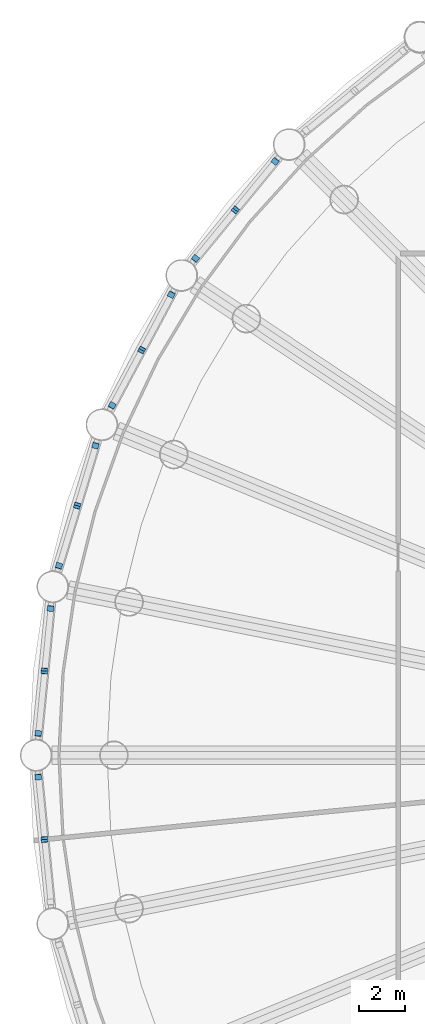
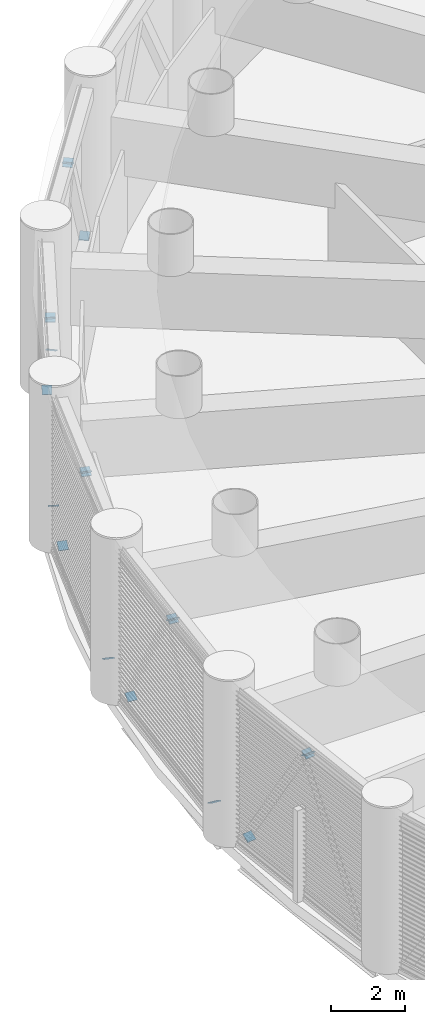
# One storey, part 14 of 26: 19 discrete accessories.
"""IFC4 building model written with IfcOpenShell, lengths in metres."""

from ifc_helpers import new_model, si_unit, direction, frame, origin, origin_2d, place, context, subcontext, project, spatial, rectangle, extrude, material, material_profile, profile_set, type_object, element, save


model = new_model("IFC4")

# Units and contexts
model_context = context("Model", 3, precision=1e-05, world=origin(), true_north=direction((0.0, 1.0)))
body_context = subcontext(model_context, "Body", "Model", "MODEL_VIEW")
ifc_project = project(units=[si_unit("LENGTHUNIT", "METRE"), si_unit("AREAUNIT", "SQUARE_METRE"), si_unit("VOLUMEUNIT", "CUBIC_METRE"), si_unit("PLANEANGLEUNIT", "RADIAN"), si_unit("MASSUNIT", "GRAM", prefix="KILO")], contexts=[model_context])

# Site, building, storey
site_placement = place(None, origin())
site = spatial("IfcSite", under=ifc_project, at=site_placement, CompositionType="ELEMENT")
building_placement = place(site_placement, origin())
building = spatial("IfcBuilding", under=site, at=building_placement, Name="Corvane Civic Tower", CompositionType="ELEMENT")
storey_placement = place(building_placement, frame((0.0, 0.0, 85.0)))
storey = spatial("IfcBuildingStorey", under=building, at=storey_placement, Name="L19", CompositionType="ELEMENT", Elevation=85.0)

# Discrete accessories
ifc_material = material(Name="Steel ASTM A572 Gr 50", Category="steel")
ifc_material_profile = material_profile(ifc_material, rectangle(XDim=0.2802734375, YDim=0.2802734375, at=origin_2d()), Name="GUSSET PLATE 25 IN HSS12X12X1/2")
ifc_profile_set = profile_set([ifc_material_profile], Name="Steel ASTM A572 Gr 50")
discrete_accessory_type = type_object("IfcDiscreteAccessoryType", Name="GUSSET PLATE 25 IN HSS12X12X1/2", PredefinedType="BRACKET", material=ifc_profile_set)
discrete_accessory_1_placement = place(storey_placement, frame((-37.337890625, -3.677490234375, 4.74365234375), z_axis=(0.058194858711, -0.533452871521, -0.843825451314), x_axis=(0.994102176608, 0.108447510175, 0.0)))
element("IfcDiscreteAccessory", 1, at=discrete_accessory_1_placement, inside=storey, type_object=discrete_accessory_type, Name="Gusset plate BD1 end B", PredefinedType="BRACKET", context=body_context, shape_type="SweptSolid", body=[
    extrude(rectangle(XDim=0.2802734375, YDim=0.2802734375, at=origin_2d()), origin(), (0.0, 0.0, 1.0), 0.025146484375),
])
discrete_accessory_2_placement = place(storey_placement, frame((-37.60693359375, -0.9453125, 0.406494140625), z_axis=(0.058674270186, -0.537847476703, 0.840997872662), x_axis=(0.994102176608, 0.108447510175, 0.0)))
element("IfcDiscreteAccessory", 2, at=discrete_accessory_2_placement, inside=storey, type_object=discrete_accessory_type, Name="Gusset plate BD1 end A", PredefinedType="BRACKET", context=body_context, shape_type="SweptSolid", body=[
    extrude(rectangle(XDim=0.2802734375, YDim=0.2802734375, at=origin_2d()), origin(), (0.0, 0.0, 1.0), 0.02490234375),
])
discrete_accessory_3_placement = place(storey_placement, frame((-37.337890625, -3.677490234375, 4.74365234375), z_axis=(-0.04852082694, 0.533729096341, -0.844262388758), x_axis=(-0.995893206468, -0.090535746043, 0.0)))
element("IfcDiscreteAccessory", 3, at=discrete_accessory_3_placement, inside=storey, type_object=discrete_accessory_type, Name="Gusset plate BD1 end B", PredefinedType="BRACKET", context=body_context, shape_type="SweptSolid", body=[
    extrude(rectangle(XDim=0.2802734375, YDim=0.2802734375, at=origin_2d()), origin(), (0.0, 0.0, 1.0), 0.025146484375),
])
discrete_accessory_4_placement = place(storey_placement, frame((-37.60693359375, 0.9453125, 0.406494140625), z_axis=(0.058674270186, 0.537847476703, 0.840997872662), x_axis=(-0.994102176608, 0.108447510175, 0.0)))
element("IfcDiscreteAccessory", 4, at=discrete_accessory_4_placement, inside=storey, type_object=discrete_accessory_type, Name="Gusset plate BD1 end A", PredefinedType="BRACKET", context=body_context, shape_type="SweptSolid", body=[
    extrude(rectangle(XDim=0.2802734375, YDim=0.2802734375, at=origin_2d()), origin(), (0.0, 0.0, 1.0), 0.02490234375),
])
discrete_accessory_5_placement = place(storey_placement, frame((-37.337890625, 3.677490234375, 4.74365234375), z_axis=(-0.04852082694, -0.533729096341, -0.844262388758), x_axis=(0.995893206468, -0.090535746043, 0.0)))
element("IfcDiscreteAccessory", 5, at=discrete_accessory_5_placement, inside=storey, type_object=discrete_accessory_type, Name="Gusset plate BD1 end B", PredefinedType="BRACKET", context=body_context, shape_type="SweptSolid", body=[
    extrude(rectangle(XDim=0.2802734375, YDim=0.2802734375, at=origin_2d()), origin(), (0.0, 0.0, 1.0), 0.025146484375),
])
discrete_accessory_6_placement = place(storey_placement, frame((-37.068603515625, 6.40966796875, 0.406494140625), z_axis=(-0.058674270186, -0.537847476703, 0.840997872662), x_axis=(0.994102176608, -0.108447510175, 0.0)))
element("IfcDiscreteAccessory", 6, at=discrete_accessory_6_placement, inside=storey, type_object=discrete_accessory_type, Name="Gusset plate BD1 end A", PredefinedType="BRACKET", context=body_context, shape_type="SweptSolid", body=[
    extrude(rectangle(XDim=0.2802734375, YDim=0.2802734375, at=origin_2d()), origin(), (0.0, 0.0, 1.0), 0.02490234375),
])
discrete_accessory_7_placement = place(storey_placement, frame((-37.337890625, 3.677490234375, 4.74365234375), z_axis=(0.058194858711, 0.533452871521, -0.843825451314), x_axis=(-0.994102176608, 0.108447510175, 0.0)))
element("IfcDiscreteAccessory", 7, at=discrete_accessory_7_placement, inside=storey, type_object=discrete_accessory_type, Name="Gusset plate BD1 end B", PredefinedType="BRACKET", context=body_context, shape_type="SweptSolid", body=[
    extrude(rectangle(XDim=0.2802734375, YDim=0.2802734375, at=origin_2d()), origin(), (0.0, 0.0, 1.0), 0.025146484375),
])
discrete_accessory_8_placement = place(storey_placement, frame((-36.699951171875, 8.26416015625, 0.406494140625), z_axis=(0.15722585379, 0.510984024818, 0.845088964122), x_axis=(-0.955779008722, 0.294085848838, 0.0)))
element("IfcDiscreteAccessory", 8, at=discrete_accessory_8_placement, inside=storey, type_object=discrete_accessory_type, Name="Gusset plate BD1 end A", PredefinedType="BRACKET", context=body_context, shape_type="SweptSolid", body=[
    extrude(rectangle(XDim=0.2802734375, YDim=0.2802734375, at=origin_2d()), origin(), (0.0, 0.0, 1.0), 0.02490234375),
])
discrete_accessory_9_placement = place(storey_placement, frame((-35.90283203125, 10.89111328125, 4.74365234375), z_axis=(-0.155928829858, -0.50676869704, -0.847863012355), x_axis=(0.955779008722, -0.294085848838, 0.0)))
element("IfcDiscreteAccessory", 9, at=discrete_accessory_9_placement, inside=storey, type_object=discrete_accessory_type, Name="Gusset plate BD1 end B", PredefinedType="BRACKET", context=body_context, shape_type="SweptSolid", body=[
    extrude(rectangle(XDim=0.2802734375, YDim=0.2802734375, at=origin_2d()), origin(), (0.0, 0.0, 1.0), 0.025146484375),
])
for number, where, z_axis, x_axis, name in (
    (10, (-35.106201171875, 13.51806640625, 0.406494140625), (-0.147620349392, -0.511750544557, 0.846356669845), (0.960823591181, -0.277160651302, 0.0), "Gusset plate BD1 end A"),
    (11, (-35.90283203125, 10.89111328125, 4.74365234375), (0.146398954364, 0.507516375128, -0.84911393531), (-0.960823591181, 0.277160651302, 0.0), "Gusset plate BD1 end B"),
    (12, (-34.382568359375, 15.26513671875, 0.406494140625), (0.255245660011, 0.471222756944, 0.844274106191), (-0.879291966537, 0.476283148541, 0.0), "Gusset plate BD1 end A"),
):
    element("IfcDiscreteAccessory", number, at=place(storey_placement, frame(where, z_axis=z_axis, x_axis=x_axis)), inside=storey, type_object=discrete_accessory_type, Name=name, PredefinedType="BRACKET", context=body_context, shape_type="SweptSolid", body=[
        extrude(rectangle(XDim=0.2802734375, YDim=0.2802734375, at=origin_2d()), origin(), (0.0, 0.0, 1.0), 0.02490234375),
    ])
discrete_accessory_10_placement = place(storey_placement, frame((-33.08837890625, 17.686279296875, 4.74365234375), z_axis=(-0.25198814938, -0.474900743063, -0.843191115234), x_axis=(0.883349020695, -0.468715806899, 0.0)))
element("IfcDiscreteAccessory", 13, at=discrete_accessory_10_placement, inside=storey, type_object=discrete_accessory_type, Name="Gusset plate BD1 end B", PredefinedType="BRACKET", context=body_context, shape_type="SweptSolid", body=[
    extrude(rectangle(XDim=0.2802734375, YDim=0.2802734375, at=origin_2d()), origin(), (0.0, 0.0, 1.0), 0.025146484375),
])
discrete_accessory_11_placement = place(storey_placement, frame((-31.794189453125, 20.107177734375, 0.406494140625), z_axis=(-0.255245660011, -0.471222756944, 0.844274106191), x_axis=(0.879291966537, -0.476283148541, 0.0)))
element("IfcDiscreteAccessory", 14, at=discrete_accessory_11_placement, inside=storey, type_object=discrete_accessory_type, Name="Gusset plate BD1 end A", PredefinedType="BRACKET", context=body_context, shape_type="SweptSolid", body=[
    extrude(rectangle(XDim=0.2802734375, YDim=0.2802734375, at=origin_2d()), origin(), (0.0, 0.0, 1.0), 0.02490234375),
])
discrete_accessory_12_placement = place(storey_placement, frame((-33.08837890625, 17.686279296875, 4.74365234375), z_axis=(0.253144037058, 0.467342837645, -0.847058893232), x_axis=(-0.879291966537, 0.476283148541, 0.0)))
element("IfcDiscreteAccessory", 15, at=discrete_accessory_12_placement, inside=storey, type_object=discrete_accessory_type, Name="Gusset plate BD1 end B", PredefinedType="BRACKET", context=body_context, shape_type="SweptSolid", body=[
    extrude(rectangle(XDim=0.2802734375, YDim=0.2802734375, at=origin_2d()), origin(), (0.0, 0.0, 1.0), 0.025146484375),
])
discrete_accessory_13_placement = place(storey_placement, frame((-30.74365234375, 21.679443359375, 0.406494140625), z_axis=(0.334752053874, 0.413517243021, 0.846725783328), x_axis=(-0.777244870707, 0.629198228668, 0.0)))
element("IfcDiscreteAccessory", 16, at=discrete_accessory_13_placement, inside=storey, type_object=discrete_accessory_type, Name="Gusset plate BD1 end A", PredefinedType="BRACKET", context=body_context, shape_type="SweptSolid", body=[
    extrude(rectangle(XDim=0.2802734375, YDim=0.2802734375, at=origin_2d()), origin(), (0.0, 0.0, 1.0), 0.02490234375),
])
discrete_accessory_14_placement = place(storey_placement, frame((-29.002197265625, 23.801513671875, 4.74365234375), z_axis=(-0.340625545805, -0.408750654966, -0.846697785287), x_axis=(0.768221279597, -0.640184399664, 0.0)))
element("IfcDiscreteAccessory", 17, at=discrete_accessory_14_placement, inside=storey, type_object=discrete_accessory_type, Name="Gusset plate BD1 end B", PredefinedType="BRACKET", context=body_context, shape_type="SweptSolid", body=[
    extrude(rectangle(XDim=0.2802734375, YDim=0.2802734375, at=origin_2d()), origin(), (0.0, 0.0, 1.0), 0.025146484375),
])
discrete_accessory_15_placement = place(storey_placement, frame((-27.2607421875, 25.923583984375, 0.406494140625), z_axis=(-0.334752053874, -0.413517243021, 0.846725783328), x_axis=(0.777244870707, -0.629198228668, 0.0)))
element("IfcDiscreteAccessory", 18, at=discrete_accessory_15_placement, inside=storey, type_object=discrete_accessory_type, Name="Gusset plate BD1 end A", PredefinedType="BRACKET", context=body_context, shape_type="SweptSolid", body=[
    extrude(rectangle(XDim=0.2802734375, YDim=0.2802734375, at=origin_2d()), origin(), (0.0, 0.0, 1.0), 0.02490234375),
])
discrete_accessory_16_placement = place(storey_placement, frame((-29.002197265625, 23.801513671875, 4.74365234375), z_axis=(0.340625545805, 0.408750654966, -0.846697785287), x_axis=(-0.768221279597, 0.640184399664, 0.0)))
element("IfcDiscreteAccessory", 19, at=discrete_accessory_16_placement, inside=storey, type_object=discrete_accessory_type, Name="Gusset plate BD1 end B", PredefinedType="BRACKET", context=body_context, shape_type="SweptSolid", body=[
    extrude(rectangle(XDim=0.2802734375, YDim=0.2802734375, at=origin_2d()), origin(), (0.0, 0.0, 1.0), 0.025146484375),
])

save(model, "model.ifc")
